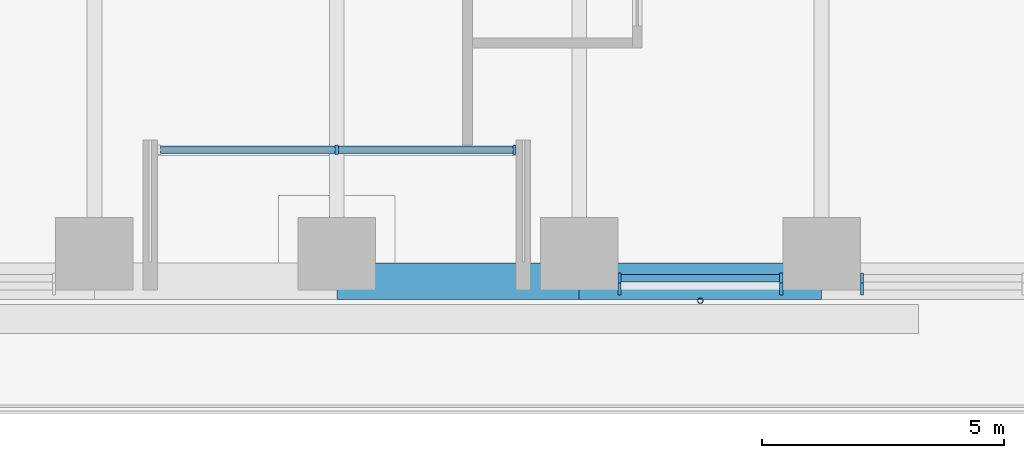
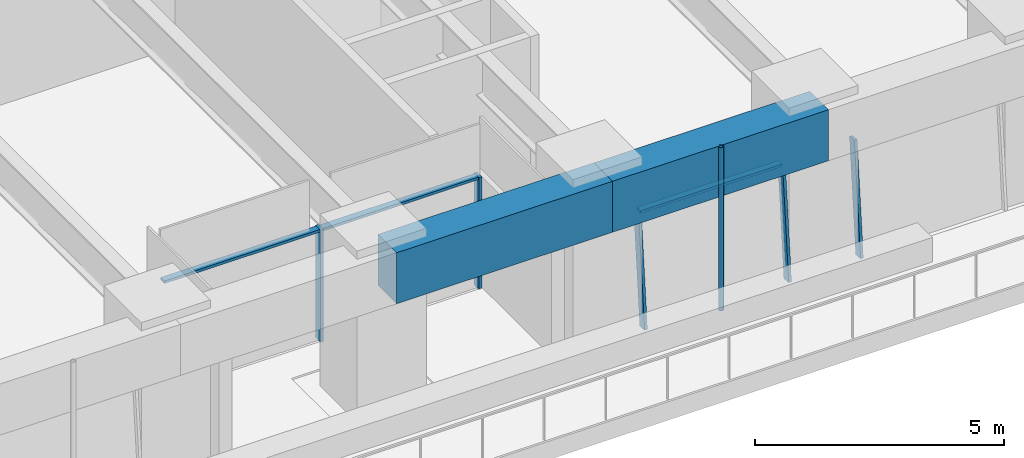
# One storey, part 4 of 24: 8 members, 2 beams, 3 elements without a shape of their own.
"""IFC4 building model written with IfcOpenShell, lengths in metres."""

from ifc_helpers import new_model, si_unit, direction, frame, origin, origin_2d, place, context, subcontext, project, spatial, rectangle, hollow_circle, extrude, material, material_profile, profile_set, type_object, element, aggregate, save


model = new_model("IFC4")

# Units and contexts
model_context = context("Model", 3, precision=1e-05, world=origin(), true_north=direction((0.0, 1.0)))
body_context = subcontext(model_context, "Body", "Model", "MODEL_VIEW")
ifc_project = project(units=[si_unit("LENGTHUNIT", "METRE"), si_unit("AREAUNIT", "SQUARE_METRE"), si_unit("VOLUMEUNIT", "CUBIC_METRE"), si_unit("PLANEANGLEUNIT", "RADIAN"), si_unit("MASSUNIT", "GRAM", prefix="KILO")], contexts=[model_context])

# Site, building, storey
site_placement = place(None, origin())
site = spatial("IfcSite", under=ifc_project, at=site_placement, CompositionType="ELEMENT")
building_placement = place(site_placement, origin())
building = spatial("IfcBuilding", under=site, at=building_placement, Name="Tarfa Lantern Tower", CompositionType="ELEMENT")
storey_placement = place(building_placement, frame((0.0, 0.0, 148.89990234375)))
storey = spatial("IfcBuildingStorey", under=building, at=storey_placement, Name="L33", CompositionType="ELEMENT", Elevation=148.89990234375)

# Curtain wall, members
ifc_material_1 = material(Name="Aluminium framed curtain wall", Category="aluminium")
curtain_wall_type_1 = type_object("IfcCurtainWallType", Name="CW2 CANTED GLAZING MID ZONE 2750", PredefinedType="USERDEFINED", material=ifc_material_1)
curtain_wall_1_placement = place(storey_placement, origin())
curtain_wall_1 = element("IfcCurtainWall", 1, at=curtain_wall_1_placement, inside=storey, type_object=curtain_wall_type_1, Name="CW2 SB L33", ObjectType="CURTAIN WALL", PredefinedType="USERDEFINED")
ifc_material_2 = material(Name="Aluminium mullion", Category="aluminium")
ifc_material_profile_1 = material_profile(ifc_material_2, rectangle(XDim=0.06494140625, YDim=0.199951171875, at=origin_2d()), Name="AL MULLION 65x200")
ifc_profile_set_1 = profile_set([ifc_material_profile_1], Name="Aluminium mullion")
member_type_1 = type_object("IfcMemberType", Name="CWM1 MULLION 65x200", PredefinedType="MULLION", material=ifc_profile_set_1)
member_1_placement = place(storey_placement, frame((5.836181640625, -31.39990234375, 0.0), z_axis=(0.0, 0.090535746043, 0.995893206468), x_axis=(-1.0, 0.0, 0.0)))
member_1 = element("IfcMember", 2, at=member_1_placement, type_object=member_type_1, Name="CW2 mullion 1", PredefinedType="MULLION", context=body_context, shape_type="SweptSolid", body=[
    extrude(rectangle(XDim=0.06494140625, YDim=0.199951171875, at=origin_2d()), origin(), (0.0, 0.0, 1.0), 2.76123046875),
])
member_2_placement = place(storey_placement, frame((9.1748046875, -31.39990234375, 0.0), z_axis=(0.0, 0.090535746043, 0.995893206468), x_axis=(-1.0, 0.0, 0.0)))
member_2 = element("IfcMember", 3, at=member_2_placement, type_object=member_type_1, Name="CW2 mullion 2", PredefinedType="MULLION", context=body_context, shape_type="SweptSolid", body=[
    extrude(rectangle(XDim=0.06494140625, YDim=0.199951171875, at=origin_2d()), origin(), (0.0, 0.0, 1.0), 2.76123046875),
])

# Curtain wall, member
curtain_wall_2_placement = place(storey_placement, origin())
curtain_wall_2 = element("IfcCurtainWall", 4, at=curtain_wall_2_placement, inside=storey, type_object=curtain_wall_type_1, Name="CW2 SB L33", ObjectType="CURTAIN WALL", PredefinedType="USERDEFINED")
member_3_placement = place(storey_placement, frame((10.83984375, -31.39990234375, 0.0), z_axis=(0.0, 0.090535746043, 0.995893206468), x_axis=(-1.0, 0.0, 0.0)))
member_3 = element("IfcMember", 5, at=member_3_placement, type_object=member_type_1, Name="CW2 mullion 1", PredefinedType="MULLION", context=body_context, shape_type="SweptSolid", body=[
    extrude(rectangle(XDim=0.06494140625, YDim=0.199951171875, at=origin_2d()), origin(), (0.0, 0.0, 1.0), 2.76123046875),
])
aggregate(curtain_wall_2, [member_3])

# Curtain wall, members
curtain_wall_type_2 = type_object("IfcCurtainWallType", Name="CW10 LOGGIA GLAZING 2750", PredefinedType="USERDEFINED", material=ifc_material_1)
curtain_wall_3_placement = place(storey_placement, origin())
curtain_wall_3 = element("IfcCurtainWall", 6, at=curtain_wall_3_placement, inside=storey, type_object=curtain_wall_type_2, Name="CW10 SL L33", ObjectType="CURTAIN WALL", PredefinedType="USERDEFINED")
member_4_placement = place(storey_placement, frame((0.0, -28.5, 0.0), z_axis=(0.0, 0.0, 1.0), x_axis=(1.0, 0.0, 0.0)))
member_4 = element("IfcMember", 7, at=member_4_placement, type_object=member_type_1, Name="CW10 mullion 2", PredefinedType="MULLION", context=body_context, shape_type="SweptSolid", body=[
    extrude(rectangle(XDim=0.06494140625, YDim=0.199951171875, at=origin_2d()), origin(), (0.0, 0.0, 1.0), 2.75),
])
member_5_placement = place(storey_placement, frame((3.671142578125, -28.5, 0.0), z_axis=(0.0, 0.0, 1.0), x_axis=(1.0, 0.0, 0.0)))
member_5 = element("IfcMember", 8, at=member_5_placement, type_object=member_type_1, Name="CW10 mullion 3", PredefinedType="MULLION", context=body_context, shape_type="SweptSolid", body=[
    extrude(rectangle(XDim=0.06494140625, YDim=0.199951171875, at=origin_2d()), origin(), (0.0, 0.0, 1.0), 2.75),
])

# Member
ifc_material_3 = material(Name="Aluminium transom", Category="aluminium")
ifc_material_profile_2 = material_profile(ifc_material_3, rectangle(XDim=0.14990234375, YDim=0.06494140625, at=origin_2d()), Name="AL TRANSOM 150x65")
ifc_profile_set_2 = profile_set([ifc_material_profile_2], Name="Aluminium transom")
member_type_2 = type_object("IfcMemberType", Name="CWT1 TRANSOM 150x65", PredefinedType="USERDEFINED", material=ifc_profile_set_2)
member_6_placement = place(storey_placement, frame((5.86865234375, -31.153076171875, 2.717529296875), z_axis=(1.0, 0.0, 0.0), x_axis=(0.0, 1.0, 0.0)))
member_6 = element("IfcMember", 9, at=member_6_placement, type_object=member_type_2, Name="CW2 transom 1.2", ObjectType="TRANSOM", PredefinedType="USERDEFINED", context=body_context, shape_type="SweptSolid", body=[
    extrude(rectangle(XDim=0.14990234375, YDim=0.06494140625, at=origin_2d()), origin(), (0.0, 0.0, 1.0), 3.273681640625),
])

aggregate(curtain_wall_1, [member_1, member_2, member_6])

member_7_placement = place(storey_placement, frame((-3.638671875, -28.5, 2.717529296875), z_axis=(1.0, 0.0, 0.0), x_axis=(0.0, 1.0, 0.0)))
member_7 = element("IfcMember", 10, at=member_7_placement, type_object=member_type_2, Name="CW10 transom 1.2", ObjectType="TRANSOM", PredefinedType="USERDEFINED", context=body_context, shape_type="SweptSolid", body=[
    extrude(rectangle(XDim=0.14990234375, YDim=0.06494140625, at=origin_2d()), origin(), (0.0, 0.0, 1.0), 7.27734375),
])

aggregate(curtain_wall_3, [member_4, member_5, member_7])

# Beams
ifc_material_4 = material(Name="Concrete C80/95", Category="concrete")
ifc_material_profile_3 = material_profile(ifc_material_4, rectangle(XDim=0.75, YDim=1.25, at=origin_2d()), Name="RC 750x1250")
ifc_profile_set_3 = profile_set([ifc_material_profile_3], Name="Concrete C80/95")
beam_type = type_object("IfcBeamType", Name="EB2 RC 750x1250", PredefinedType="SPANDREL", material=ifc_profile_set_3)
for number, where, z_axis, x_axis, name in (
    (11, (0.0, -31.219970703125, 3.375), (1.0, 0.0, 0.0), (0.0, 1.0, 0.0), "Edge beam S3"),
    (12, (5.003662109375, -31.219970703125, 3.375), (1.0, 0.0, 0.0), (0.0, 1.0, 0.0), "Edge beam S4"),
):
    element("IfcBeam", number, at=place(storey_placement, frame(where, z_axis=z_axis, x_axis=x_axis)), inside=storey, type_object=beam_type, Name=name, PredefinedType="SPANDREL", context=body_context, shape_type="SweptSolid", body=[
        extrude(rectangle(XDim=0.75, YDim=1.25, at=origin_2d()), origin(), (0.0, 0.0, 1.0), 5.003662109375),
    ])

# Member
ifc_material_5 = material(Name="Steel S355", Category="steel")
ifc_material_profile_4 = material_profile(ifc_material_5, hollow_circle(Radius=0.05712890625, WallThickness=0.00634765625, at=origin_2d()), Name="CHS114.3x6.3")
ifc_profile_set_4 = profile_set([ifc_material_profile_4], Name="Steel S355")
member_type_3 = type_object("IfcMemberType", Name="TR1 GREEN WALL TRELLIS CHS114.3x6.3", PredefinedType="USERDEFINED", material=ifc_profile_set_4)
member_8_placement = place(storey_placement, frame((7.505615234375, -31.6201171875, 0.0), z_axis=(0.0, 0.0, 1.0), x_axis=(1.0, 0.0, 0.0)))
element("IfcMember", 13, at=member_8_placement, inside=storey, type_object=member_type_3, Name="Trellis post S 2", ObjectType="TRELLIS", PredefinedType="USERDEFINED", context=body_context, shape_type="SweptSolid", body=[
    extrude(hollow_circle(Radius=0.05712890625, WallThickness=0.00634765625, at=origin_2d()), origin(), (0.0, 0.0, 1.0), 4.0),
])

save(model, "model.ifc")
